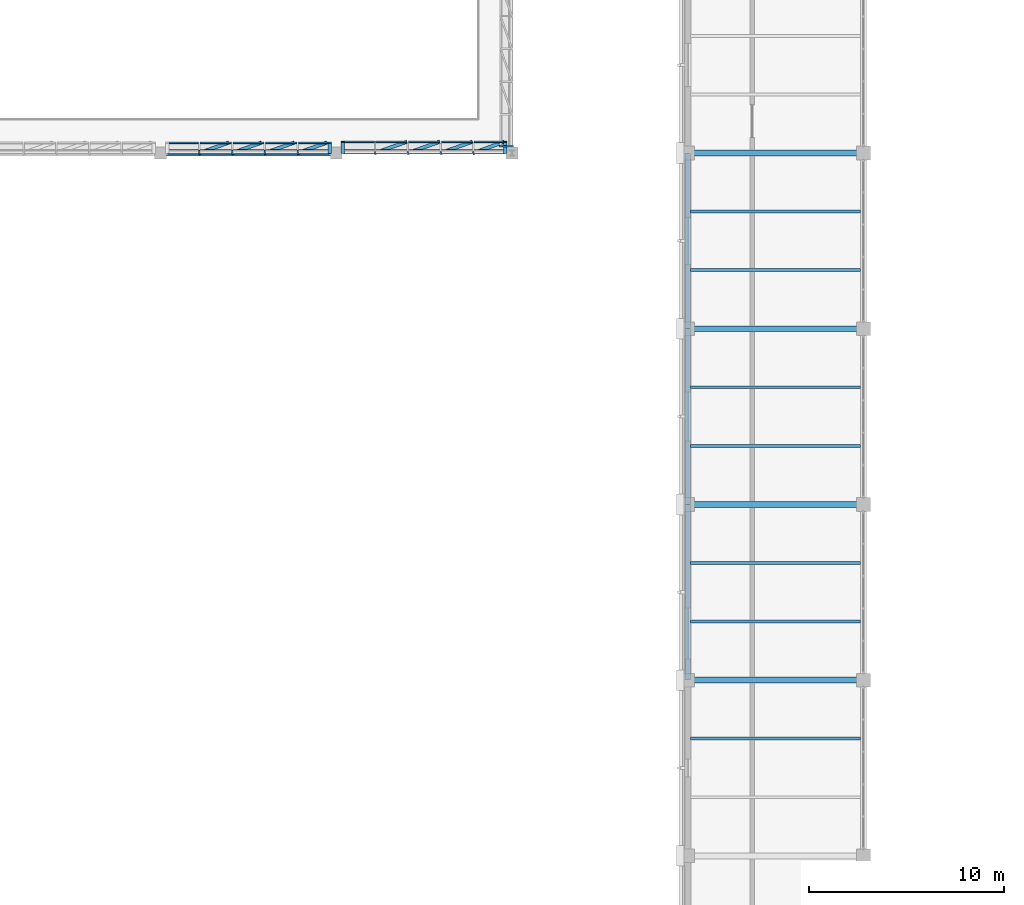
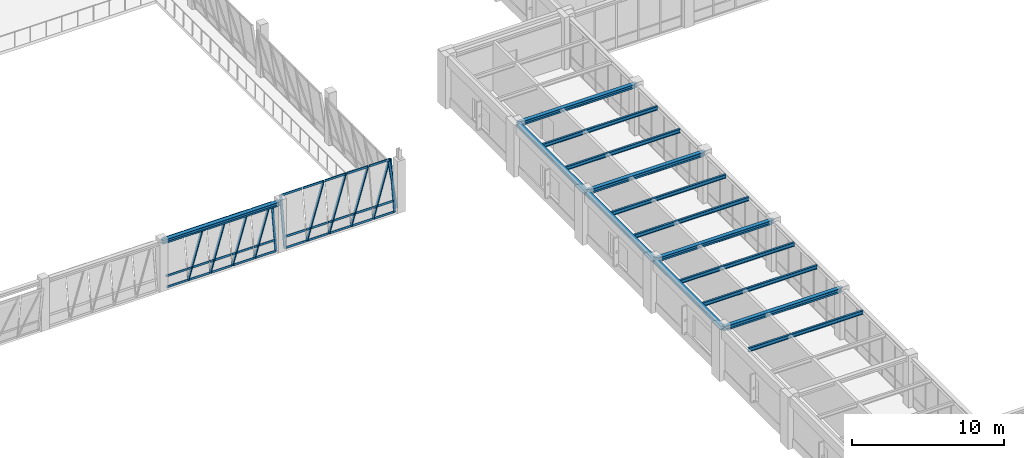
# One storey, part 57 of 108: 42 members, 15 beams, 3 elements without a shape of their own.
"""IFC4 building model written with IfcOpenShell, lengths in metres."""

from ifc_helpers import new_model, si_unit, direction, frame, origin, origin_2d, place, context, subcontext, project, spatial, hollow_rectangle, i_section, extrude, material, material_profile, profile_set, type_object, element, aggregate, save


model = new_model("IFC4")

# Units and contexts
model_context = context("Model", 3, precision=1e-05, world=origin(), true_north=direction((0.0, 1.0)))
body_context = subcontext(model_context, "Body", "Model", "MODEL_VIEW")
ifc_project = project(units=[si_unit("LENGTHUNIT", "METRE"), si_unit("AREAUNIT", "SQUARE_METRE"), si_unit("VOLUMEUNIT", "CUBIC_METRE"), si_unit("PLANEANGLEUNIT", "RADIAN"), si_unit("MASSUNIT", "GRAM", prefix="KILO")], contexts=[model_context])

# Site, building, storey
site_placement = place(None, origin())
site = spatial("IfcSite", under=ifc_project, at=site_placement, CompositionType="ELEMENT")
building_placement = place(site_placement, origin())
building = spatial("IfcBuilding", under=site, at=building_placement, Name="Lykobir Media Centre", CompositionType="ELEMENT")
storey_placement = place(building_placement, frame((0.0, 0.0, 15.0)))
storey = spatial("IfcBuildingStorey", under=building, at=storey_placement, Name="L03", CompositionType="ELEMENT", Elevation=15.0)

# Beams
ifc_material_1 = material(Name="Steel S355", Category="steel")
ifc_material_profile_1 = material_profile(ifc_material_1, i_section(OverallWidth=0.300048828125, OverallDepth=0.330078125, WebThickness=0.009521484375, FlangeThickness=0.0166015625, at=origin_2d()), Name="HEA 340")
ifc_profile_set_1 = profile_set([ifc_material_profile_1], Name="Steel S355")
beam_type_1 = type_object("IfcBeamType", Name="BM-HEA340", PredefinedType="BEAM", material=ifc_profile_set_1)
for number, where, z_axis, x_axis, name in (
    (1, (90.0, 36.0, 3.794921875), (1.0, 0.0, 0.0), (0.0, 1.0, 0.0), "Beam BM-L03-0900-0360-0990-0360-1880"),
    (2, (90.0, 54.0, 3.794921875), (1.0, 0.0, 0.0), (0.0, 1.0, 0.0), "Beam BM-L03-0900-0540-0990-0540-1880"),
):
    element("IfcBeam", number, at=place(storey_placement, frame(where, z_axis=z_axis, x_axis=x_axis)), inside=storey, type_object=beam_type_1, Name=name, PredefinedType="BEAM", context=body_context, shape_type="SweptSolid", body=[
        extrude(i_section(OverallWidth=0.300048828125, OverallDepth=0.330078125, WebThickness=0.009521484375, FlangeThickness=0.0166015625, at=origin_2d()), origin(), (0.0, 0.0, 1.0), 9.0),
    ])

# Curtain wall, members
ifc_material_2 = material(Name="Anodized Aluminium AW-6060", Category="aluminium")
curtain_wall_type = type_object("IfcCurtainWallType", Name="CW-V6-CR3", PredefinedType="NOTDEFINED", material=ifc_material_2)
curtain_wall_1_placement = place(storey_placement, origin())
curtain_wall_1 = element("IfcCurtainWall", 3, at=curtain_wall_1_placement, inside=storey, type_object=curtain_wall_type, Name="Curtain wall CW2-L03-0123", PredefinedType="NOTDEFINED")
ifc_material_profile_2 = material_profile(ifc_material_2, hollow_rectangle(XDim=0.074951171875, YDim=0.179931640625, WallThickness=0.00390625, at=origin_2d()), Name="ALU MULLION 75x180")
ifc_profile_set_2 = profile_set([ifc_material_profile_2], Name="Anodized Aluminium AW-6060")
member_type_1 = type_object("IfcMemberType", Name="CWM-180", PredefinedType="MULLION", material=ifc_profile_set_2)
member_1_placement = place(storey_placement, frame((71.657470703125, 63.0, 0.0), z_axis=(0.0, 0.142593917485, 0.98978127619), x_axis=(0.0, 0.98978127619, -0.142593917485)))
member_1 = element("IfcMember", 4, at=member_1_placement, type_object=member_type_1, Name="CW2-L03-0123 mullion 1", PredefinedType="MULLION", context=body_context, shape_type="SweptSolid", body=[
    extrude(hollow_rectangle(XDim=0.074951171875, YDim=0.179931640625, WallThickness=0.00390625, at=origin_2d()), origin(), (0.0, 0.0, 1.0), 3.672607421875),
])
member_2_placement = place(storey_placement, frame((70.01708984375, 63.0, 0.0), z_axis=(0.374572027629, 0.132212769337, 0.917723040869), x_axis=(0.865396069103, 0.305459037062, -0.397220870874)))
member_2 = element("IfcMember", 5, at=member_2_placement, type_object=member_type_1, Name="CW2-L03-0123 mullion 2", PredefinedType="MULLION", context=body_context, shape_type="SweptSolid", body=[
    extrude(hollow_rectangle(XDim=0.074951171875, YDim=0.179931640625, WallThickness=0.00390625, at=origin_2d()), origin(), (0.0, 0.0, 1.0), 3.9609375),
])
member_3_placement = place(storey_placement, frame((68.339111328125, 63.0, 0.0), z_axis=(0.374572027629, 0.132212769337, 0.917723040869), x_axis=(0.865396069103, 0.305459037062, -0.397220870874)))
member_3 = element("IfcMember", 6, at=member_3_placement, type_object=member_type_1, Name="CW2-L03-0123 mullion 3", PredefinedType="MULLION", context=body_context, shape_type="SweptSolid", body=[
    extrude(hollow_rectangle(XDim=0.074951171875, YDim=0.179931640625, WallThickness=0.00390625, at=origin_2d()), origin(), (0.0, 0.0, 1.0), 3.9609375),
])
member_4_placement = place(storey_placement, frame((66.660888671875, 63.0, 0.0), z_axis=(0.374625015426, 0.132209716698, 0.917701851708), x_axis=(0.865391860701, 0.305407295361, -0.397269821875)))
member_4 = element("IfcMember", 7, at=member_4_placement, type_object=member_type_1, Name="CW2-L03-0123 mullion 4", PredefinedType="MULLION", context=body_context, shape_type="SweptSolid", body=[
    extrude(hollow_rectangle(XDim=0.074951171875, YDim=0.179931640625, WallThickness=0.00390625, at=origin_2d()), origin(), (0.0, 0.0, 1.0), 3.9609375),
])
member_5_placement = place(storey_placement, frame((64.98291015625, 63.0, 0.0), z_axis=(0.374625015426, 0.132209716698, 0.917701851708), x_axis=(0.865391860701, 0.305407295361, -0.397269821875)))
member_5 = element("IfcMember", 8, at=member_5_placement, type_object=member_type_1, Name="CW2-L03-0123 mullion 5", PredefinedType="MULLION", context=body_context, shape_type="SweptSolid", body=[
    extrude(hollow_rectangle(XDim=0.074951171875, YDim=0.179931640625, WallThickness=0.00390625, at=origin_2d()), origin(), (0.0, 0.0, 1.0), 3.9609375),
])

curtain_wall_2_placement = place(storey_placement, origin())
curtain_wall_2 = element("IfcCurtainWall", 9, at=curtain_wall_2_placement, inside=storey, type_object=curtain_wall_type, Name="Curtain wall CW2-L03-0124", PredefinedType="NOTDEFINED")
member_6_placement = place(storey_placement, frame((80.657470703125, 63.0, 0.0), z_axis=(0.0, 0.142657694389, 0.989772086003), x_axis=(0.0, 0.989772086003, -0.142657694389)))
member_6 = element("IfcMember", 10, at=member_6_placement, type_object=member_type_1, Name="CW2-L03-0124 mullion 1", PredefinedType="MULLION", context=body_context, shape_type="SweptSolid", body=[
    extrude(hollow_rectangle(XDim=0.074951171875, YDim=0.179931640625, WallThickness=0.00390625, at=origin_2d()), origin(), (0.0, 0.0, 1.0), 3.980712890625),
])
member_7_placement = place(storey_placement, frame((79.01708984375, 63.0, 0.0), z_axis=(0.365976570158, 0.132760683435, 0.921105721961), x_axis=(0.86589329552, 0.314109139953, -0.389312533796)))
member_7 = element("IfcMember", 11, at=member_7_placement, type_object=member_type_1, Name="CW2-L03-0124 mullion 2", PredefinedType="MULLION", context=body_context, shape_type="SweptSolid", body=[
    extrude(hollow_rectangle(XDim=0.074951171875, YDim=0.179931640625, WallThickness=0.00390625, at=origin_2d()), origin(), (0.0, 0.0, 1.0), 4.27734375),
])
member_8_placement = place(storey_placement, frame((77.339111328125, 63.0, 0.0), z_axis=(0.374579600655, 0.132271466696, 0.917711491631), x_axis=(0.865344548286, 0.305570277716, -0.397247552703)))
member_8 = element("IfcMember", 12, at=member_8_placement, type_object=member_type_1, Name="CW2-L03-0124 mullion 3", PredefinedType="MULLION", context=body_context, shape_type="SweptSolid", body=[
    extrude(hollow_rectangle(XDim=0.074951171875, YDim=0.179931640625, WallThickness=0.00390625, at=origin_2d()), origin(), (0.0, 0.0, 1.0), 4.293212890625),
])
member_9_placement = place(storey_placement, frame((75.660888671875, 63.0, 0.0), z_axis=(0.374628486657, 0.132268649053, 0.917691942573), x_axis=(0.865340676514, 0.305522527865, -0.397292711407)))
member_9 = element("IfcMember", 13, at=member_9_placement, type_object=member_type_1, Name="CW2-L03-0124 mullion 4", PredefinedType="MULLION", context=body_context, shape_type="SweptSolid", body=[
    extrude(hollow_rectangle(XDim=0.074951171875, YDim=0.179931640625, WallThickness=0.00390625, at=origin_2d()), origin(), (0.0, 0.0, 1.0), 4.293212890625),
])
member_10_placement = place(storey_placement, frame((73.98291015625, 63.0, 0.0), z_axis=(0.374628486657, 0.132268649053, 0.917691942573), x_axis=(0.865340676514, 0.305522527865, -0.397292711407)))
member_10 = element("IfcMember", 14, at=member_10_placement, type_object=member_type_1, Name="CW2-L03-0124 mullion 5", PredefinedType="MULLION", context=body_context, shape_type="SweptSolid", body=[
    extrude(hollow_rectangle(XDim=0.074951171875, YDim=0.179931640625, WallThickness=0.00390625, at=origin_2d()), origin(), (0.0, 0.0, 1.0), 4.293212890625),
])
member_11_placement = place(storey_placement, frame((72.342529296875, 63.0, 0.0), z_axis=(0.0, 0.142657694389, 0.989772086003), x_axis=(0.0, 0.989772086003, -0.142657694389)))
member_11 = element("IfcMember", 15, at=member_11_placement, type_object=member_type_1, Name="CW2-L03-0124 mullion 6", PredefinedType="MULLION", context=body_context, shape_type="SweptSolid", body=[
    extrude(hollow_rectangle(XDim=0.074951171875, YDim=0.179931640625, WallThickness=0.00390625, at=origin_2d()), origin(), (0.0, 0.0, 1.0), 3.980712890625),
])

# Curtain wall, member
curtain_wall_3_placement = place(storey_placement, origin())
curtain_wall_3 = element("IfcCurtainWall", 16, at=curtain_wall_3_placement, inside=storey, type_object=curtain_wall_type, Name="Curtain wall CW2-L03-0125", PredefinedType="NOTDEFINED")
member_12_placement = place(storey_placement, frame((81.0, 63.342529296875, 0.0), z_axis=(-0.142657694389, 0.0, 0.989772086003), x_axis=(0.0, -1.0, 0.0)))
member_12 = element("IfcMember", 17, at=member_12_placement, type_object=member_type_1, Name="CW2-L03-0125 mullion 6", PredefinedType="MULLION", context=body_context, shape_type="SweptSolid", body=[
    extrude(hollow_rectangle(XDim=0.074951171875, YDim=0.179931640625, WallThickness=0.00390625, at=origin_2d()), origin(), (0.0, 0.0, 1.0), 3.980712890625),
])
aggregate(curtain_wall_3, [member_12])

# Member
ifc_material_profile_3 = material_profile(ifc_material_2, hollow_rectangle(XDim=0.074951171875, YDim=0.14990234375, WallThickness=0.00341796875, at=origin_2d()), Name="ALU TRANSOM 75x150")
ifc_profile_set_3 = profile_set([ifc_material_profile_3], Name="Anodized Aluminium AW-6060")
member_type_2 = type_object("IfcMemberType", Name="CWT-150", PredefinedType="USERDEFINED", material=ifc_profile_set_3)
member_13_placement = place(storey_placement, frame((71.6201171875, 63.00537109375, 0.037109375), z_axis=(-1.0, 0.0, 0.0), x_axis=(0.0, -0.989776230908, 0.142628933706)))
member_13 = element("IfcMember", 18, at=member_13_placement, type_object=member_type_2, Name="CW2-L03-0123 transom 1.1", ObjectType="TRANSOM", PredefinedType="USERDEFINED", context=body_context, shape_type="SweptSolid", body=[
    extrude(hollow_rectangle(XDim=0.074951171875, YDim=0.14990234375, WallThickness=0.00341796875, at=origin_2d()), origin(), (0.0, 0.0, 1.0), 1.565673828125),
])

member_14_placement = place(storey_placement, frame((71.6201171875, 63.12109375, 0.84130859375), z_axis=(-1.0, 0.0, 0.0), x_axis=(0.0, -0.989776230908, 0.142628933706)))
member_14 = element("IfcMember", 19, at=member_14_placement, type_object=member_type_2, Name="CW2-L03-0123 transom 1.2", ObjectType="TRANSOM", PredefinedType="USERDEFINED", context=body_context, shape_type="SweptSolid", body=[
    extrude(hollow_rectangle(XDim=0.074951171875, YDim=0.14990234375, WallThickness=0.00341796875, at=origin_2d()), origin(), (0.0, 0.0, 1.0), 1.565673828125),
])

member_15_placement = place(storey_placement, frame((71.6201171875, 63.5185546875, 3.597900390625), z_axis=(-1.0, 0.0, 0.0), x_axis=(0.0, -0.989776230908, 0.142628933706)))
member_15 = element("IfcMember", 20, at=member_15_placement, type_object=member_type_2, Name="CW2-L03-0123 transom 1.3", ObjectType="TRANSOM", PredefinedType="USERDEFINED", context=body_context, shape_type="SweptSolid", body=[
    extrude(hollow_rectangle(XDim=0.074951171875, YDim=0.14990234375, WallThickness=0.00341796875, at=origin_2d()), origin(), (0.0, 0.0, 1.0), 1.565673828125),
])

member_16_placement = place(storey_placement, frame((69.9794921875, 63.00537109375, 0.037109375), z_axis=(-1.0, 0.0, 0.0), x_axis=(0.0, -0.989776230908, 0.142628933706)))
member_16 = element("IfcMember", 21, at=member_16_placement, type_object=member_type_2, Name="CW2-L03-0123 transom 2.1", ObjectType="TRANSOM", PredefinedType="USERDEFINED", context=body_context, shape_type="SweptSolid", body=[
    extrude(hollow_rectangle(XDim=0.074951171875, YDim=0.14990234375, WallThickness=0.00341796875, at=origin_2d()), origin(), (0.0, 0.0, 1.0), 1.60302734375),
])

member_17_placement = place(storey_placement, frame((69.9794921875, 63.12109375, 0.84130859375), z_axis=(-1.0, 0.0, 0.0), x_axis=(0.0, -0.989776230908, 0.142628933706)))
member_17 = element("IfcMember", 22, at=member_17_placement, type_object=member_type_2, Name="CW2-L03-0123 transom 2.2", ObjectType="TRANSOM", PredefinedType="USERDEFINED", context=body_context, shape_type="SweptSolid", body=[
    extrude(hollow_rectangle(XDim=0.074951171875, YDim=0.14990234375, WallThickness=0.00341796875, at=origin_2d()), origin(), (0.0, 0.0, 1.0), 1.60302734375),
])

member_18_placement = place(storey_placement, frame((69.9794921875, 63.5185546875, 3.597900390625), z_axis=(-1.0, 0.0, 0.0), x_axis=(0.0, -0.989776230908, 0.142628933706)))
member_18 = element("IfcMember", 23, at=member_18_placement, type_object=member_type_2, Name="CW2-L03-0123 transom 2.3", ObjectType="TRANSOM", PredefinedType="USERDEFINED", context=body_context, shape_type="SweptSolid", body=[
    extrude(hollow_rectangle(XDim=0.074951171875, YDim=0.14990234375, WallThickness=0.00341796875, at=origin_2d()), origin(), (0.0, 0.0, 1.0), 1.60302734375),
])

member_19_placement = place(storey_placement, frame((68.301513671875, 63.00537109375, 0.037109375), z_axis=(-1.0, 0.0, 0.0), x_axis=(0.0, -0.989776230908, 0.142628933706)))
member_19 = element("IfcMember", 24, at=member_19_placement, type_object=member_type_2, Name="CW2-L03-0123 transom 3.1", ObjectType="TRANSOM", PredefinedType="USERDEFINED", context=body_context, shape_type="SweptSolid", body=[
    extrude(hollow_rectangle(XDim=0.074951171875, YDim=0.14990234375, WallThickness=0.00341796875, at=origin_2d()), origin(), (0.0, 0.0, 1.0), 1.60302734375),
])

member_20_placement = place(storey_placement, frame((68.301513671875, 63.12109375, 0.84130859375), z_axis=(-1.0, 0.0, 0.0), x_axis=(0.0, -0.989776230908, 0.142628933706)))
member_20 = element("IfcMember", 25, at=member_20_placement, type_object=member_type_2, Name="CW2-L03-0123 transom 3.2", ObjectType="TRANSOM", PredefinedType="USERDEFINED", context=body_context, shape_type="SweptSolid", body=[
    extrude(hollow_rectangle(XDim=0.074951171875, YDim=0.14990234375, WallThickness=0.00341796875, at=origin_2d()), origin(), (0.0, 0.0, 1.0), 1.60302734375),
])

member_21_placement = place(storey_placement, frame((68.301513671875, 63.5185546875, 3.597900390625), z_axis=(-1.0, 0.0, 0.0), x_axis=(0.0, -0.989776230908, 0.142628933706)))
member_21 = element("IfcMember", 26, at=member_21_placement, type_object=member_type_2, Name="CW2-L03-0123 transom 3.3", ObjectType="TRANSOM", PredefinedType="USERDEFINED", context=body_context, shape_type="SweptSolid", body=[
    extrude(hollow_rectangle(XDim=0.074951171875, YDim=0.14990234375, WallThickness=0.00341796875, at=origin_2d()), origin(), (0.0, 0.0, 1.0), 1.60302734375),
])

member_22_placement = place(storey_placement, frame((66.62353515625, 63.00537109375, 0.037109375), z_axis=(-1.0, 0.0, 0.0), x_axis=(0.0, -0.989776230908, 0.142628933706)))
member_22 = element("IfcMember", 27, at=member_22_placement, type_object=member_type_2, Name="CW2-L03-0123 transom 4.1", ObjectType="TRANSOM", PredefinedType="USERDEFINED", context=body_context, shape_type="SweptSolid", body=[
    extrude(hollow_rectangle(XDim=0.074951171875, YDim=0.14990234375, WallThickness=0.00341796875, at=origin_2d()), origin(), (0.0, 0.0, 1.0), 1.60302734375),
])

member_23_placement = place(storey_placement, frame((66.62353515625, 63.12109375, 0.84130859375), z_axis=(-1.0, 0.0, 0.0), x_axis=(0.0, -0.989776230908, 0.142628933706)))
member_23 = element("IfcMember", 28, at=member_23_placement, type_object=member_type_2, Name="CW2-L03-0123 transom 4.2", ObjectType="TRANSOM", PredefinedType="USERDEFINED", context=body_context, shape_type="SweptSolid", body=[
    extrude(hollow_rectangle(XDim=0.074951171875, YDim=0.14990234375, WallThickness=0.00341796875, at=origin_2d()), origin(), (0.0, 0.0, 1.0), 1.60302734375),
])

member_24_placement = place(storey_placement, frame((66.62353515625, 63.5185546875, 3.597900390625), z_axis=(-1.0, 0.0, 0.0), x_axis=(0.0, -0.989776230908, 0.142628933706)))
member_24 = element("IfcMember", 29, at=member_24_placement, type_object=member_type_2, Name="CW2-L03-0123 transom 4.3", ObjectType="TRANSOM", PredefinedType="USERDEFINED", context=body_context, shape_type="SweptSolid", body=[
    extrude(hollow_rectangle(XDim=0.074951171875, YDim=0.14990234375, WallThickness=0.00341796875, at=origin_2d()), origin(), (0.0, 0.0, 1.0), 1.60302734375),
])

member_25_placement = place(storey_placement, frame((64.945556640625, 63.00537109375, 0.037109375), z_axis=(-1.0, 0.0, 0.0), x_axis=(0.0, -0.989776230908, 0.142628933706)))
member_25 = element("IfcMember", 30, at=member_25_placement, type_object=member_type_2, Name="CW2-L03-0123 transom 5.1", ObjectType="TRANSOM", PredefinedType="USERDEFINED", context=body_context, shape_type="SweptSolid", body=[
    extrude(hollow_rectangle(XDim=0.074951171875, YDim=0.14990234375, WallThickness=0.00341796875, at=origin_2d()), origin(), (0.0, 0.0, 1.0), 1.565673828125),
])

member_26_placement = place(storey_placement, frame((64.945556640625, 63.12109375, 0.84130859375), z_axis=(-1.0, 0.0, 0.0), x_axis=(0.0, -0.989776230908, 0.142628933706)))
member_26 = element("IfcMember", 31, at=member_26_placement, type_object=member_type_2, Name="CW2-L03-0123 transom 5.2", ObjectType="TRANSOM", PredefinedType="USERDEFINED", context=body_context, shape_type="SweptSolid", body=[
    extrude(hollow_rectangle(XDim=0.074951171875, YDim=0.14990234375, WallThickness=0.00341796875, at=origin_2d()), origin(), (0.0, 0.0, 1.0), 1.565673828125),
])

member_27_placement = place(storey_placement, frame((64.945556640625, 63.5185546875, 3.597900390625), z_axis=(-1.0, 0.0, 0.0), x_axis=(0.0, -0.989776230908, 0.142628933706)))
member_27 = element("IfcMember", 32, at=member_27_placement, type_object=member_type_2, Name="CW2-L03-0123 transom 5.3", ObjectType="TRANSOM", PredefinedType="USERDEFINED", context=body_context, shape_type="SweptSolid", body=[
    extrude(hollow_rectangle(XDim=0.074951171875, YDim=0.14990234375, WallThickness=0.00341796875, at=origin_2d()), origin(), (0.0, 0.0, 1.0), 1.565673828125),
])

aggregate(curtain_wall_1, [member_1, member_2, member_3, member_4, member_5, member_13, member_14, member_15, member_16, member_17, member_18, member_19, member_20, member_21, member_22, member_23, member_24, member_25, member_26, member_27])

member_28_placement = place(storey_placement, frame((80.6201171875, 63.00537109375, 0.037109375), z_axis=(-1.0, 0.0, 0.0), x_axis=(0.0, -0.989776230908, 0.142628933706)))
member_28 = element("IfcMember", 33, at=member_28_placement, type_object=member_type_2, Name="CW2-L03-0124 transom 1.1", ObjectType="TRANSOM", PredefinedType="USERDEFINED", context=body_context, shape_type="SweptSolid", body=[
    extrude(hollow_rectangle(XDim=0.074951171875, YDim=0.14990234375, WallThickness=0.00341796875, at=origin_2d()), origin(), (0.0, 0.0, 1.0), 1.565673828125),
])

member_29_placement = place(storey_placement, frame((80.6201171875, 63.12109375, 0.84130859375), z_axis=(-1.0, 0.0, 0.0), x_axis=(0.0, -0.989776230908, 0.142628933706)))
member_29 = element("IfcMember", 34, at=member_29_placement, type_object=member_type_2, Name="CW2-L03-0124 transom 1.2", ObjectType="TRANSOM", PredefinedType="USERDEFINED", context=body_context, shape_type="SweptSolid", body=[
    extrude(hollow_rectangle(XDim=0.074951171875, YDim=0.14990234375, WallThickness=0.00341796875, at=origin_2d()), origin(), (0.0, 0.0, 1.0), 1.565673828125),
])

member_30_placement = place(storey_placement, frame((80.6201171875, 63.5625, 3.90283203125), z_axis=(-1.0, 0.0, 0.0), x_axis=(0.0, -0.989776230908, 0.142628933706)))
member_30 = element("IfcMember", 35, at=member_30_placement, type_object=member_type_2, Name="CW2-L03-0124 transom 1.3", ObjectType="TRANSOM", PredefinedType="USERDEFINED", context=body_context, shape_type="SweptSolid", body=[
    extrude(hollow_rectangle(XDim=0.074951171875, YDim=0.14990234375, WallThickness=0.00341796875, at=origin_2d()), origin(), (0.0, 0.0, 1.0), 1.565673828125),
])

member_31_placement = place(storey_placement, frame((78.9794921875, 63.00537109375, 0.037109375), z_axis=(-1.0, 0.0, 0.0), x_axis=(0.0, -0.989776230908, 0.142628933706)))
member_31 = element("IfcMember", 36, at=member_31_placement, type_object=member_type_2, Name="CW2-L03-0124 transom 2.1", ObjectType="TRANSOM", PredefinedType="USERDEFINED", context=body_context, shape_type="SweptSolid", body=[
    extrude(hollow_rectangle(XDim=0.074951171875, YDim=0.14990234375, WallThickness=0.00341796875, at=origin_2d()), origin(), (0.0, 0.0, 1.0), 1.60302734375),
])

member_32_placement = place(storey_placement, frame((78.9794921875, 63.12109375, 0.84130859375), z_axis=(-1.0, 0.0, 0.0), x_axis=(0.0, -0.989776230908, 0.142628933706)))
member_32 = element("IfcMember", 37, at=member_32_placement, type_object=member_type_2, Name="CW2-L03-0124 transom 2.2", ObjectType="TRANSOM", PredefinedType="USERDEFINED", context=body_context, shape_type="SweptSolid", body=[
    extrude(hollow_rectangle(XDim=0.074951171875, YDim=0.14990234375, WallThickness=0.00341796875, at=origin_2d()), origin(), (0.0, 0.0, 1.0), 1.60302734375),
])

member_33_placement = place(storey_placement, frame((78.9794921875, 63.5625, 3.90283203125), z_axis=(-1.0, 0.0, 0.0), x_axis=(0.0, -0.989776230908, 0.142628933706)))
member_33 = element("IfcMember", 38, at=member_33_placement, type_object=member_type_2, Name="CW2-L03-0124 transom 2.3", ObjectType="TRANSOM", PredefinedType="USERDEFINED", context=body_context, shape_type="SweptSolid", body=[
    extrude(hollow_rectangle(XDim=0.074951171875, YDim=0.14990234375, WallThickness=0.00341796875, at=origin_2d()), origin(), (0.0, 0.0, 1.0), 1.60302734375),
])

member_34_placement = place(storey_placement, frame((77.301513671875, 63.00537109375, 0.037109375), z_axis=(-1.0, 0.0, 0.0), x_axis=(0.0, -0.989776230908, 0.142628933706)))
member_34 = element("IfcMember", 39, at=member_34_placement, type_object=member_type_2, Name="CW2-L03-0124 transom 3.1", ObjectType="TRANSOM", PredefinedType="USERDEFINED", context=body_context, shape_type="SweptSolid", body=[
    extrude(hollow_rectangle(XDim=0.074951171875, YDim=0.14990234375, WallThickness=0.00341796875, at=origin_2d()), origin(), (0.0, 0.0, 1.0), 1.60302734375),
])

member_35_placement = place(storey_placement, frame((77.301513671875, 63.12109375, 0.84130859375), z_axis=(-1.0, 0.0, 0.0), x_axis=(0.0, -0.989776230908, 0.142628933706)))
member_35 = element("IfcMember", 40, at=member_35_placement, type_object=member_type_2, Name="CW2-L03-0124 transom 3.2", ObjectType="TRANSOM", PredefinedType="USERDEFINED", context=body_context, shape_type="SweptSolid", body=[
    extrude(hollow_rectangle(XDim=0.074951171875, YDim=0.14990234375, WallThickness=0.00341796875, at=origin_2d()), origin(), (0.0, 0.0, 1.0), 1.60302734375),
])

member_36_placement = place(storey_placement, frame((77.301513671875, 63.5625, 3.90283203125), z_axis=(-1.0, 0.0, 0.0), x_axis=(0.0, -0.989776230908, 0.142628933706)))
member_36 = element("IfcMember", 41, at=member_36_placement, type_object=member_type_2, Name="CW2-L03-0124 transom 3.3", ObjectType="TRANSOM", PredefinedType="USERDEFINED", context=body_context, shape_type="SweptSolid", body=[
    extrude(hollow_rectangle(XDim=0.074951171875, YDim=0.14990234375, WallThickness=0.00341796875, at=origin_2d()), origin(), (0.0, 0.0, 1.0), 1.60302734375),
])

member_37_placement = place(storey_placement, frame((75.62353515625, 63.00537109375, 0.037109375), z_axis=(-1.0, 0.0, 0.0), x_axis=(0.0, -0.989776230908, 0.142628933706)))
member_37 = element("IfcMember", 42, at=member_37_placement, type_object=member_type_2, Name="CW2-L03-0124 transom 4.1", ObjectType="TRANSOM", PredefinedType="USERDEFINED", context=body_context, shape_type="SweptSolid", body=[
    extrude(hollow_rectangle(XDim=0.074951171875, YDim=0.14990234375, WallThickness=0.00341796875, at=origin_2d()), origin(), (0.0, 0.0, 1.0), 1.60302734375),
])

member_38_placement = place(storey_placement, frame((75.62353515625, 63.12109375, 0.84130859375), z_axis=(-1.0, 0.0, 0.0), x_axis=(0.0, -0.989776230908, 0.142628933706)))
member_38 = element("IfcMember", 43, at=member_38_placement, type_object=member_type_2, Name="CW2-L03-0124 transom 4.2", ObjectType="TRANSOM", PredefinedType="USERDEFINED", context=body_context, shape_type="SweptSolid", body=[
    extrude(hollow_rectangle(XDim=0.074951171875, YDim=0.14990234375, WallThickness=0.00341796875, at=origin_2d()), origin(), (0.0, 0.0, 1.0), 1.60302734375),
])

member_39_placement = place(storey_placement, frame((75.62353515625, 63.5625, 3.90283203125), z_axis=(-1.0, 0.0, 0.0), x_axis=(0.0, -0.989776230908, 0.142628933706)))
member_39 = element("IfcMember", 44, at=member_39_placement, type_object=member_type_2, Name="CW2-L03-0124 transom 4.3", ObjectType="TRANSOM", PredefinedType="USERDEFINED", context=body_context, shape_type="SweptSolid", body=[
    extrude(hollow_rectangle(XDim=0.074951171875, YDim=0.14990234375, WallThickness=0.00341796875, at=origin_2d()), origin(), (0.0, 0.0, 1.0), 1.60302734375),
])

member_40_placement = place(storey_placement, frame((73.945556640625, 63.00537109375, 0.037109375), z_axis=(-1.0, 0.0, 0.0), x_axis=(0.0, -0.989776230908, 0.142628933706)))
member_40 = element("IfcMember", 45, at=member_40_placement, type_object=member_type_2, Name="CW2-L03-0124 transom 5.1", ObjectType="TRANSOM", PredefinedType="USERDEFINED", context=body_context, shape_type="SweptSolid", body=[
    extrude(hollow_rectangle(XDim=0.074951171875, YDim=0.14990234375, WallThickness=0.00341796875, at=origin_2d()), origin(), (0.0, 0.0, 1.0), 1.565673828125),
])

member_41_placement = place(storey_placement, frame((73.945556640625, 63.12109375, 0.84130859375), z_axis=(-1.0, 0.0, 0.0), x_axis=(0.0, -0.989776230908, 0.142628933706)))
member_41 = element("IfcMember", 46, at=member_41_placement, type_object=member_type_2, Name="CW2-L03-0124 transom 5.2", ObjectType="TRANSOM", PredefinedType="USERDEFINED", context=body_context, shape_type="SweptSolid", body=[
    extrude(hollow_rectangle(XDim=0.074951171875, YDim=0.14990234375, WallThickness=0.00341796875, at=origin_2d()), origin(), (0.0, 0.0, 1.0), 1.565673828125),
])

member_42_placement = place(storey_placement, frame((73.945556640625, 63.5625, 3.90283203125), z_axis=(-1.0, 0.0, 0.0), x_axis=(0.0, -0.989776230908, 0.142628933706)))
member_42 = element("IfcMember", 47, at=member_42_placement, type_object=member_type_2, Name="CW2-L03-0124 transom 5.3", ObjectType="TRANSOM", PredefinedType="USERDEFINED", context=body_context, shape_type="SweptSolid", body=[
    extrude(hollow_rectangle(XDim=0.074951171875, YDim=0.14990234375, WallThickness=0.00341796875, at=origin_2d()), origin(), (0.0, 0.0, 1.0), 1.565673828125),
])

aggregate(curtain_wall_2, [member_6, member_7, member_8, member_9, member_10, member_11, member_28, member_29, member_30, member_31, member_32, member_33, member_34, member_35, member_36, member_37, member_38, member_39, member_40, member_41, member_42])

# Beams
ifc_material_profile_4 = material_profile(ifc_material_1, i_section(OverallWidth=0.14990234375, OverallDepth=0.300048828125, WebThickness=0.007080078125, FlangeThickness=0.0107421875, at=origin_2d()), Name="IPE 300")
ifc_profile_set_4 = profile_set([ifc_material_profile_4], Name="Steel S355")
beam_type_2 = type_object("IfcBeamType", Name="JS-IPE300", PredefinedType="JOIST", material=ifc_profile_set_4)
for number, where, z_axis, x_axis, name in (
    (48, (90.14990234375, 33.0, 3.81005859375), (1.0, 0.0, 0.0), (0.0, 1.0, 0.0), "Beam BM-L03-0902-0330-0988-0330-1881"),
    (49, (90.14990234375, 39.0, 3.81005859375), (1.0, 0.0, 0.0), (0.0, 1.0, 0.0), "Beam BM-L03-0902-0390-0988-0390-1881"),
    (50, (90.14990234375, 42.0, 3.81005859375), (1.0, 0.0, 0.0), (0.0, 1.0, 0.0), "Beam BM-L03-0902-0420-0988-0420-1881"),
    (51, (90.14990234375, 48.0, 3.81005859375), (1.0, 0.0, 0.0), (0.0, 1.0, 0.0), "Beam BM-L03-0902-0480-0988-0480-1881"),
    (52, (90.14990234375, 51.0, 3.81005859375), (1.0, 0.0, 0.0), (0.0, 1.0, 0.0), "Beam BM-L03-0902-0510-0988-0510-1881"),
    (53, (90.14990234375, 57.0, 3.81005859375), (1.0, 0.0, 0.0), (0.0, 1.0, 0.0), "Beam BM-L03-0902-0570-0988-0570-1881"),
    (54, (90.14990234375, 60.0, 3.81005859375), (1.0, 0.0, 0.0), (0.0, 1.0, 0.0), "Beam BM-L03-0902-0600-0988-0600-1881"),
):
    element("IfcBeam", number, at=place(storey_placement, frame(where, z_axis=z_axis, x_axis=x_axis)), inside=storey, type_object=beam_type_2, Name=name, PredefinedType="JOIST", context=body_context, shape_type="SweptSolid", body=[
        extrude(i_section(OverallWidth=0.14990234375, OverallDepth=0.300048828125, WebThickness=0.007080078125, FlangeThickness=0.0107421875, at=origin_2d()), origin(), (0.0, 0.0, 1.0), 8.7001953125),
    ])
ifc_material_profile_5 = material_profile(ifc_material_1, i_section(OverallWidth=0.300048828125, OverallDepth=0.31005859375, WebThickness=0.009033203125, FlangeThickness=0.015380859375, at=origin_2d()), Name="HEA 320")
ifc_profile_set_5 = profile_set([ifc_material_profile_5], Name="Steel S355")
beam_type_3 = type_object("IfcBeamType", Name="SP-HEA320", PredefinedType="SPANDREL", material=ifc_profile_set_5)
for number, where, z_axis, x_axis, name in (
    (55, (90.0, 45.0, 3.804931640625), (1.0, 0.0, 0.0), (0.0, 1.0, 0.0), "Beam BM-L03-0900-0450-0990-0450-1880"),
    (56, (63.0, 63.0, 3.804931640625), (1.0, 0.0, 0.0), (0.0, 1.0, 0.0), "Beam BM-L03-0630-0630-0720-0630-1880"),
    (57, (90.0, 63.0, 3.804931640625), (1.0, 0.0, 0.0), (0.0, 1.0, 0.0), "Beam BM-L03-0900-0630-0990-0630-1880"),
):
    element("IfcBeam", number, at=place(storey_placement, frame(where, z_axis=z_axis, x_axis=x_axis)), inside=storey, type_object=beam_type_3, Name=name, PredefinedType="SPANDREL", context=body_context, shape_type="SweptSolid", body=[
        extrude(i_section(OverallWidth=0.300048828125, OverallDepth=0.31005859375, WebThickness=0.009033203125, FlangeThickness=0.015380859375, at=origin_2d()), origin(), (0.0, 0.0, 1.0), 9.0),
    ])
ifc_material_profile_6 = material_profile(ifc_material_1, i_section(OverallWidth=0.300048828125, OverallDepth=0.31005859375, WebThickness=0.009033203125, FlangeThickness=0.015380859375, at=origin_2d()), Name="HEA 320")
ifc_profile_set_6 = profile_set([ifc_material_profile_6], Name="Steel S355")
beam_type_4 = type_object("IfcBeamType", Name="SP-HEA320-E", PredefinedType="SPANDREL", material=ifc_profile_set_6)
for number, where, z_axis, x_axis, name in (
    (58, (90.0, 36.0, 3.804931640625), (0.0, 1.0, 0.0), (-1.0, 0.0, 0.0), "Beam BM-L03-0900-0360-0900-0450-1880"),
    (59, (90.0, 45.0, 3.804931640625), (0.0, 1.0, 0.0), (-1.0, 0.0, 0.0), "Beam BM-L03-0900-0450-0900-0540-1880"),
    (60, (90.0, 54.0, 3.804931640625), (0.0, 1.0, 0.0), (-1.0, 0.0, 0.0), "Beam BM-L03-0900-0540-0900-0630-1880"),
):
    element("IfcBeam", number, at=place(storey_placement, frame(where, z_axis=z_axis, x_axis=x_axis)), inside=storey, type_object=beam_type_4, Name=name, PredefinedType="SPANDREL", context=body_context, shape_type="SweptSolid", body=[
        extrude(i_section(OverallWidth=0.300048828125, OverallDepth=0.31005859375, WebThickness=0.009033203125, FlangeThickness=0.015380859375, at=origin_2d()), origin(), (0.0, 0.0, 1.0), 9.0),
    ])

save(model, "model.ifc")
